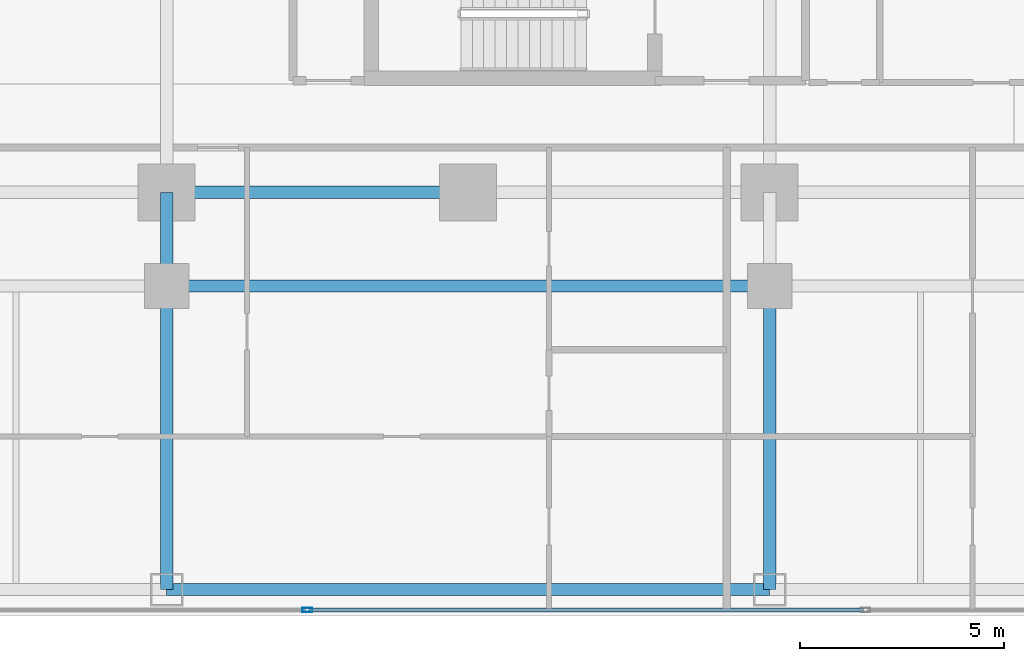
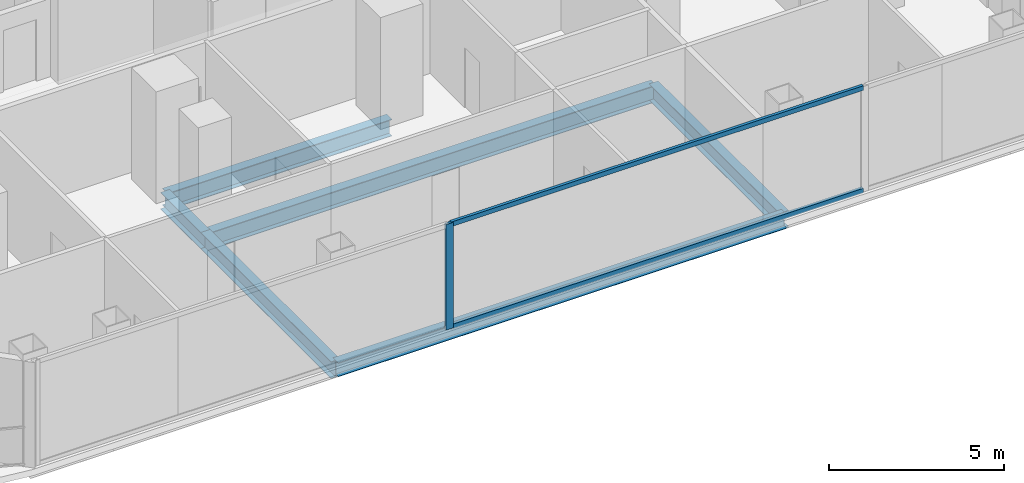
# One storey, part 4 of 27: 6 beams, 3 members, 1 element without a shape of its own.
"""IFC4 building model written with IfcOpenShell, lengths in metres."""

import ifcopenshell
import ifcopenshell.guid

model = None  # the IFC model being written
_history = None  # IfcOwnerHistory: only IFC2X3 demands one
_inside = {}  # id of a spatial element -> (the spatial element, [elements in it])
_under = {}  # id of a project, library or spatial element -> (it, [spatial elements below it])
_declared = {}  # id of a project -> (the project, [libraries it declares])
_typed = {}  # id of a type object -> (the type object, [elements of that type])
_made_of = {}  # id of a material, layer set ... -> (it, [elements and type objects made of it])


def new_model(schema):
    """Start an empty IFC model of exactly this schema.

    Asked for "IFC4X3", IfcOpenShell would pick the latest addendum, in which some entities
    have other attributes; the version numbers below select the first issue.
    IFC2X3 requires an IfcOwnerHistory on every rooted entity: one is made here for all.
    """
    global model, _history
    if schema == "IFC4X3":
        model = ifcopenshell.file(schema_version=(4, 3, 0, 0))
    else:
        model = ifcopenshell.file(schema=schema)
    _inside.clear()
    _under.clear()
    _declared.clear()
    _typed.clear()
    _made_of.clear()
    _history = None
    if model.schema == "IFC2X3":
        org = make("IfcOrganization", Name="unknown")
        user = make(
            "IfcPersonAndOrganization",
            ThePerson=make("IfcPerson", FamilyName="unknown"),
            TheOrganization=org,
        )
        app = make(
            "IfcApplication",
            ApplicationDeveloper=org,
            Version="unknown",
            ApplicationFullName="unknown",
            ApplicationIdentifier="unknown",
        )
        _history = make(
            "IfcOwnerHistory",
            OwningUser=user,
            OwningApplication=app,
            ChangeAction="ADDED",
            CreationDate=0,
        )
    return model


def make(cls, **values):
    """One entity of the class cls with the attributes given. An attribute that is None is left unset."""
    return model.create_entity(
        cls, **{name: value for name, value in values.items() if value is not None}
    )


def rooted(cls, **values):
    """An entity with a GlobalId (a new one), such as an element, a storey or a relation."""
    return make(cls, GlobalId=ifcopenshell.guid.new(), OwnerHistory=_history, **values)


def si_unit(unit_type, name, prefix=None):
    """IfcSIUnit, for example si_unit("LENGTHUNIT", "METRE", prefix="MILLI")."""
    return make("IfcSIUnit", UnitType=unit_type, Prefix=prefix, Name=name)


def assignment(units):
    """IfcUnitAssignment: the units of a project."""
    return None if units is None else make("IfcUnitAssignment", Units=units)


def point(xyz):
    """IfcCartesianPoint."""
    return None if xyz is None else make("IfcCartesianPoint", Coordinates=xyz)


def direction(xyz):
    """IfcDirection."""
    return None if xyz is None else make("IfcDirection", DirectionRatios=xyz)


def frame(location, z_axis=None, x_axis=None):
    """IfcAxis2Placement3D, a coordinate frame: its origin and axes. An axis left out is left unset."""
    return make(
        "IfcAxis2Placement3D",
        Location=point(location),
        Axis=direction(z_axis),
        RefDirection=direction(x_axis),
    )


def frame_2d(location, x_axis=None):
    """IfcAxis2Placement2D, a coordinate frame in the plane: its origin and x axis."""
    return make(
        "IfcAxis2Placement2D", Location=point(location), RefDirection=direction(x_axis)
    )


def origin():
    """The frame at (0, 0, 0) with its axes left unset."""
    return frame((0.0, 0.0, 0.0))


def origin_2d():
    """The frame at (0, 0) in the plane with its x axis left unset."""
    return frame_2d((0.0, 0.0))


def place(relative_to, where):
    """IfcLocalPlacement: puts the frame where relative to a parent placement (None: the world)."""
    return make(
        "IfcLocalPlacement", PlacementRelTo=relative_to, RelativePlacement=where
    )


def context(
    kind, dimensions, precision=None, world=None, true_north=None, identifier=None
):
    """IfcGeometricRepresentationContext, for example the 3D "Model" context."""
    return make(
        "IfcGeometricRepresentationContext",
        ContextIdentifier=identifier,
        ContextType=kind,
        CoordinateSpaceDimension=dimensions,
        Precision=precision,
        WorldCoordinateSystem=world,
        TrueNorth=true_north,
    )


def subcontext(parent, identifier, kind, view, scale=None):
    """IfcGeometricRepresentationSubContext, for example "Body" below "Model"."""
    return make(
        "IfcGeometricRepresentationSubContext",
        ContextIdentifier=identifier,
        ContextType=kind,
        ParentContext=parent,
        TargetScale=scale,
        TargetView=view,
    )


def project(units=None, contexts=None):
    """IfcProject with its units and contexts."""
    return rooted(
        "IfcProject",
        Name="project",
        RepresentationContexts=contexts,
        UnitsInContext=assignment(units),
    )


def spatial(cls, under=None, at=None, **own):
    """A site, building, storey or space (cls), placed at a placement, below another one or the project."""
    s = rooted(cls, ObjectPlacement=at, **own)
    if under is not None:
        _under.setdefault(under.id(), (under, []))[1].append(s)
    return s


def profile(cls, at=None, kind="AREA", **sizes):
    """A parametric profile (cls). Its sizes go by their IFC names, for example OverallWidth=200.0."""
    return make(cls, ProfileType=kind, Position=at, **sizes)


def hollow_rectangle(**sizes):
    """IfcRectangleHollowProfileDef."""
    return profile("IfcRectangleHollowProfileDef", **sizes)


def i_section(**sizes):
    """IfcIShapeProfileDef."""
    return profile("IfcIShapeProfileDef", **sizes)


def extrude(swept, where, along, depth):
    """IfcExtrudedAreaSolid: the profile swept, set in the frame where, extruded along a direction by depth."""
    return make(
        "IfcExtrudedAreaSolid",
        SweptArea=swept,
        Position=where,
        ExtrudedDirection=direction(along),
        Depth=depth,
    )


def shape(context_of_items, identifier, shape_type, items):
    """IfcShapeRepresentation: the items that make up one representation, for example the "Body"."""
    return make(
        "IfcShapeRepresentation",
        ContextOfItems=context_of_items,
        RepresentationIdentifier=identifier,
        RepresentationType=shape_type,
        Items=items,
    )


def material(Name=None, Category=None):
    """IfcMaterial."""
    return make("IfcMaterial", Name=Name, Category=Category)


def layer(
    of_material, thickness, ventilated=None, Name=None, Category=None, Priority=None
):
    """IfcMaterialLayer: one layer of a wall or slab, of a material (None: an air gap)."""
    return make(
        "IfcMaterialLayer",
        Material=of_material,
        LayerThickness=thickness,
        IsVentilated=ventilated,
        Name=Name,
        Category=Category,
        Priority=Priority,
    )


def layer_set(layers, Name=None):
    """IfcMaterialLayerSet."""
    return make("IfcMaterialLayerSet", MaterialLayers=layers, LayerSetName=Name)


def material_profile(
    of_material, cross_section, Name=None, Category=None, Priority=None
):
    """IfcMaterialProfile: a cross section and its material."""
    return make(
        "IfcMaterialProfile",
        Name=Name,
        Material=of_material,
        Profile=cross_section,
        Priority=Priority,
        Category=Category,
    )


def profile_set(profiles, Name=None, composite=None):
    """IfcMaterialProfileSet."""
    return make(
        "IfcMaterialProfileSet",
        Name=Name,
        MaterialProfiles=profiles,
        CompositeProfile=composite,
    )


def made_of(thing, what):
    """Note that an element or type object is made of a material, layer set ...; save() writes the relation."""
    if what is not None:
        _made_of.setdefault(what.id(), (what, []))[1].append(thing)
    return thing


def type_object(cls, material=None, **own):
    """A type object (cls), such as IfcWallType, which elements share."""
    return made_of(rooted(cls, **own), material)


def element(
    cls,
    number,
    at=None,
    inside=None,
    cuts=None,
    type_object=None,
    material=None,
    context=None,
    identifier="Body",
    shape_type=None,
    held_by="IfcProductDefinitionShape",
    body=None,
    shapes=None,
    **own,
):
    """One element of the class cls, such as IfcWall. Its Tag is "e" and its number.

    at: its placement. inside: the storey or other place that contains it. cuts: it is an
    opening in that element (IfcRelVoidsElement). A single representation is given by context,
    identifier, shape_type and body (its items); several are given by shapes. held_by: the class
    of the entity that holds the representations. save() writes the other relations.
    """
    e = rooted(cls, Tag="e%d" % number, ObjectPlacement=at, **own)
    if body is not None:
        shapes = [shape(context, identifier, shape_type, body)]
    if shapes is not None:
        e.Representation = make(held_by, Representations=shapes)
    if inside is not None:
        _inside.setdefault(inside.id(), (inside, []))[1].append(e)
    if cuts is not None:
        rooted(
            "IfcRelVoidsElement", RelatingBuildingElement=cuts, RelatedOpeningElement=e
        )
    if type_object is not None:
        _typed.setdefault(type_object.id(), (type_object, []))[1].append(e)
    return made_of(e, material)


def aggregate(whole, parts):
    """IfcRelAggregates: a whole, such as a stair, and the parts it consists of."""
    return rooted("IfcRelAggregates", RelatingObject=whole, RelatedObjects=parts)


def save(model, path):
    """Write the relations noted so far, then the file.

    IfcRelAggregates (storeys below a building ...), IfcRelContainedInSpatialStructure (elements
    in a storey), IfcRelDefinesByType, IfcRelAssociatesMaterial and IfcRelDeclares: one each for
    every whole, place, type object, material and project.
    """
    for whole, parts in _under.values():
        aggregate(whole, parts)
    for where, things in _inside.values():
        rooted(
            "IfcRelContainedInSpatialStructure",
            RelatedElements=things,
            RelatingStructure=where,
        )
    for kind, things in _typed.values():
        rooted("IfcRelDefinesByType", RelatedObjects=things, RelatingType=kind)
    for what, things in _made_of.values():
        rooted("IfcRelAssociatesMaterial", RelatedObjects=things, RelatingMaterial=what)
    for by, libraries in _declared.values():
        rooted("IfcRelDeclares", RelatingContext=by, RelatedDefinitions=libraries)
    model.write(path)


model = new_model("IFC4")

# Units and contexts
model_context = context("Model", 3, precision=1e-05, world=origin(), true_north=direction((0.0, 1.0)))
body_context = subcontext(model_context, "Body", "Model", "MODEL_VIEW")
ifc_project = project(units=[si_unit("LENGTHUNIT", "METRE"), si_unit("AREAUNIT", "SQUARE_METRE"), si_unit("VOLUMEUNIT", "CUBIC_METRE"), si_unit("PLANEANGLEUNIT", "RADIAN"), si_unit("MASSUNIT", "GRAM", prefix="KILO")], contexts=[model_context])

# Site, building, storey
site_placement = place(None, origin())
site = spatial("IfcSite", under=ifc_project, at=site_placement, CompositionType="ELEMENT")
building_placement = place(site_placement, origin())
building = spatial("IfcBuilding", under=site, at=building_placement, Name="Khorvyn Point Tower", CompositionType="ELEMENT")
storey_placement = place(building_placement, frame((0.0, 0.0, 46.199951171875)))
storey = spatial("IfcBuildingStorey", under=building, at=storey_placement, Name="L12", CompositionType="ELEMENT", Elevation=46.199951171875)

# Curtain wall, members
ifc_material_1 = material(Name="Anodised aluminium 6063-T6 and laminated Low-E glass", Category="aluminium")
ifc_layer = layer(ifc_material_1, 0.18994140625)
ifc_layer_set = layer_set([ifc_layer], Name="Stick-Built Finned Residential Curtain Wall CW-SYS-02")
curtain_wall_type = type_object("IfcCurtainWallType", Name="Stick-Built Finned Residential Curtain Wall CW-SYS-02", PredefinedType="NOTDEFINED", material=ifc_layer_set)
curtain_wall_placement = place(storey_placement, origin())
curtain_wall = element("IfcCurtainWall", 1, at=curtain_wall_placement, inside=storey, type_object=curtain_wall_type, Name="Curtain Wall", PredefinedType="NOTDEFINED")
ifc_material_2 = material(Name="Anodised aluminium 6063-T6", Category="aluminium")
ifc_material_profile_1 = material_profile(ifc_material_2, hollow_rectangle(XDim=0.10009765625, YDim=0.239990234375, WallThickness=0.0048828125, at=origin_2d()))
ifc_profile_set_1 = profile_set([ifc_material_profile_1], Name="Anodised aluminium 6063-T6 ALU-MUL-100x240")
member_type_1 = type_object("IfcMemberType", Name="Anodised Aluminium 6063-T6 Mullion ALU-MUL-100x240", PredefinedType="MULLION", material=ifc_profile_set_1)
member_1_placement = place(storey_placement, frame((-3.949951171875, -25.050048828125, 0.0), z_axis=(0.0, 0.0, 1.0), x_axis=(0.0, -1.0, 0.0)))
member_1 = element("IfcMember", 2, at=member_1_placement, type_object=member_type_1, Name="Transom", PredefinedType="MULLION", context=body_context, shape_type="SweptSolid", body=[
    extrude(hollow_rectangle(XDim=0.10009765625, YDim=0.239990234375, WallThickness=0.0048828125, at=origin_2d()), origin(), (0.0, 0.0, 1.0), 3.679931640625),
])
ifc_material_profile_2 = material_profile(ifc_material_2, hollow_rectangle(XDim=0.10009765625, YDim=0.159912109375, WallThickness=0.00439453125, at=origin_2d()))
ifc_profile_set_2 = profile_set([ifc_material_profile_2], Name="Anodised aluminium 6063-T6 ALU-TRN-100x160")
member_type_2 = type_object("IfcMemberType", Name="Anodised Aluminium 6063-T6 Transom ALU-TRN-100x160", PredefinedType="USERDEFINED", material=ifc_profile_set_2)
member_2_placement = place(storey_placement, frame((9.699951171875, -25.050048828125, 0.050048828125), z_axis=(-1.0, 0.0, 0.0), x_axis=(0.0, -1.0, 0.0)))
member_2 = element("IfcMember", 3, at=member_2_placement, type_object=member_type_2, Name="Transom", ObjectType="TRANSOM", PredefinedType="USERDEFINED", context=body_context, shape_type="SweptSolid", body=[
    extrude(hollow_rectangle(XDim=0.10009765625, YDim=0.159912109375, WallThickness=0.00439453125, at=origin_2d()), origin(), (0.0, 0.0, 1.0), 13.599853515625),
])
member_3_placement = place(storey_placement, frame((9.699951171875, -25.050048828125, 3.630126953125), z_axis=(-1.0, 0.0, 0.0), x_axis=(0.0, -1.0, 0.0)))
member_3 = element("IfcMember", 4, at=member_3_placement, type_object=member_type_2, Name="Transom", ObjectType="TRANSOM", PredefinedType="USERDEFINED", context=body_context, shape_type="SweptSolid", body=[
    extrude(hollow_rectangle(XDim=0.10009765625, YDim=0.159912109375, WallThickness=0.00439453125, at=origin_2d()), origin(), (0.0, 0.0, 1.0), 13.599853515625),
])
aggregate(curtain_wall, [member_1, member_2, member_3])

# Beams
ifc_material_3 = material(Name="Steel S355", Category="steel")
ifc_material_profile_3 = material_profile(ifc_material_3, i_section(OverallWidth=0.300048828125, OverallDepth=0.587890625, WebThickness=0.011962890625, FlangeThickness=0.02001953125, at=origin_2d()))
ifc_profile_set_3 = profile_set([ifc_material_profile_3], Name="Steel S355 H588x300x12x20")
beam_type_1 = type_object("IfcBeamType", Name="Steel S355 Beam H588x300x12x20", PredefinedType="BEAM", material=ifc_profile_set_3)
beam_1_placement = place(storey_placement, frame((-7.39990234375, -14.800048828125, -0.513916015625), z_axis=(1.0, 0.0, 0.0), x_axis=(0.0, 1.0, 0.0)))
element("IfcBeam", 5, at=beam_1_placement, inside=storey, type_object=beam_type_1, Name="Beam", PredefinedType="BEAM", context=body_context, shape_type="SweptSolid", body=[
    extrude(i_section(OverallWidth=0.300048828125, OverallDepth=0.587890625, WebThickness=0.011962890625, FlangeThickness=0.02001953125, at=origin_2d()), origin(), (0.0, 0.0, 1.0), 7.39990234375),
])
beam_2_placement = place(storey_placement, frame((-7.39990234375, -17.10009765625, -0.513916015625), z_axis=(1.0, 0.0, 0.0), x_axis=(0.0, 1.0, 0.0)))
element("IfcBeam", 6, at=beam_2_placement, inside=storey, type_object=beam_type_1, Name="Beam", PredefinedType="BEAM", context=body_context, shape_type="SweptSolid", body=[
    extrude(i_section(OverallWidth=0.300048828125, OverallDepth=0.587890625, WebThickness=0.011962890625, FlangeThickness=0.02001953125, at=origin_2d()), origin(), (0.0, 0.0, 1.0), 14.7998046875),
])
beam_3_placement = place(storey_placement, frame((-7.39990234375, -24.550048828125, -0.513916015625), z_axis=(0.0, 1.0, 0.0), x_axis=(-1.0, 0.0, 0.0)))
element("IfcBeam", 7, at=beam_3_placement, inside=storey, type_object=beam_type_1, Name="Beam", PredefinedType="BEAM", context=body_context, shape_type="SweptSolid", body=[
    extrude(i_section(OverallWidth=0.300048828125, OverallDepth=0.587890625, WebThickness=0.011962890625, FlangeThickness=0.02001953125, at=origin_2d()), origin(), (0.0, 0.0, 1.0), 7.449951171875),
])
beam_4_placement = place(storey_placement, frame((-7.39990234375, -17.10009765625, -0.513916015625), z_axis=(0.0, 1.0, 0.0), x_axis=(-1.0, 0.0, 0.0)))
element("IfcBeam", 8, at=beam_4_placement, inside=storey, type_object=beam_type_1, Name="Beam", PredefinedType="BEAM", context=body_context, shape_type="SweptSolid", body=[
    extrude(i_section(OverallWidth=0.300048828125, OverallDepth=0.587890625, WebThickness=0.011962890625, FlangeThickness=0.02001953125, at=origin_2d()), origin(), (0.0, 0.0, 1.0), 2.300048828125),
])
beam_5_placement = place(storey_placement, frame((7.39990234375, -24.550048828125, -0.513916015625), z_axis=(0.0, 1.0, 0.0), x_axis=(-1.0, 0.0, 0.0)))
element("IfcBeam", 9, at=beam_5_placement, inside=storey, type_object=beam_type_1, Name="Beam", PredefinedType="BEAM", context=body_context, shape_type="SweptSolid", body=[
    extrude(i_section(OverallWidth=0.300048828125, OverallDepth=0.587890625, WebThickness=0.011962890625, FlangeThickness=0.02001953125, at=origin_2d()), origin(), (0.0, 0.0, 1.0), 7.449951171875),
])
ifc_material_profile_4 = material_profile(ifc_material_3, i_section(OverallWidth=0.300048828125, OverallDepth=0.488037109375, WebThickness=0.010986328125, FlangeThickness=0.01806640625, at=origin_2d()))
ifc_profile_set_4 = profile_set([ifc_material_profile_4], Name="Steel S355 H488x300x11x18")
beam_type_2 = type_object("IfcBeamType", Name="Steel S355 Spandrel H488x300x11x18", PredefinedType="SPANDREL", material=ifc_profile_set_4)
beam_6_placement = place(storey_placement, frame((-7.39990234375, -24.550048828125, -0.4638671875), z_axis=(1.0, 0.0, 0.0), x_axis=(0.0, 1.0, 0.0)))
element("IfcBeam", 10, at=beam_6_placement, inside=storey, type_object=beam_type_2, Name="Beam", PredefinedType="SPANDREL", context=body_context, shape_type="SweptSolid", body=[
    extrude(i_section(OverallWidth=0.300048828125, OverallDepth=0.488037109375, WebThickness=0.010986328125, FlangeThickness=0.01806640625, at=origin_2d()), origin(), (0.0, 0.0, 1.0), 14.7998046875),
])

save(model, "model.ifc")
